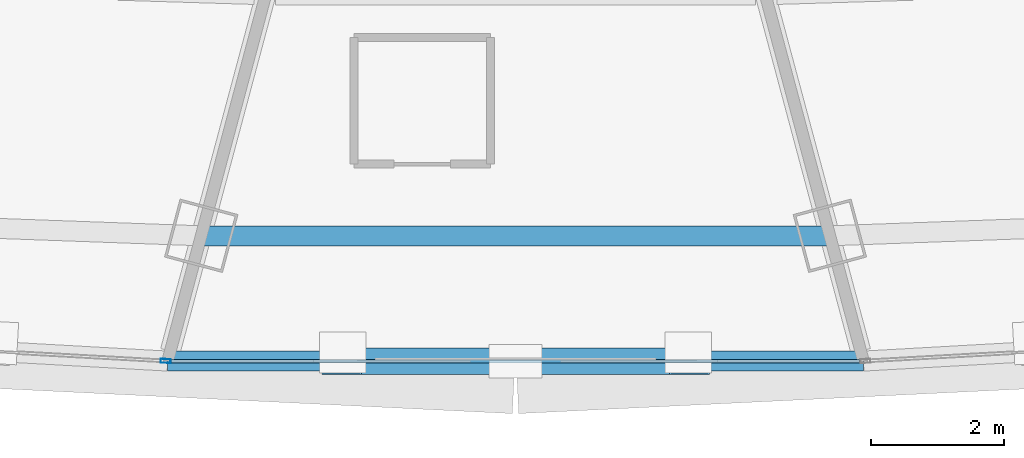
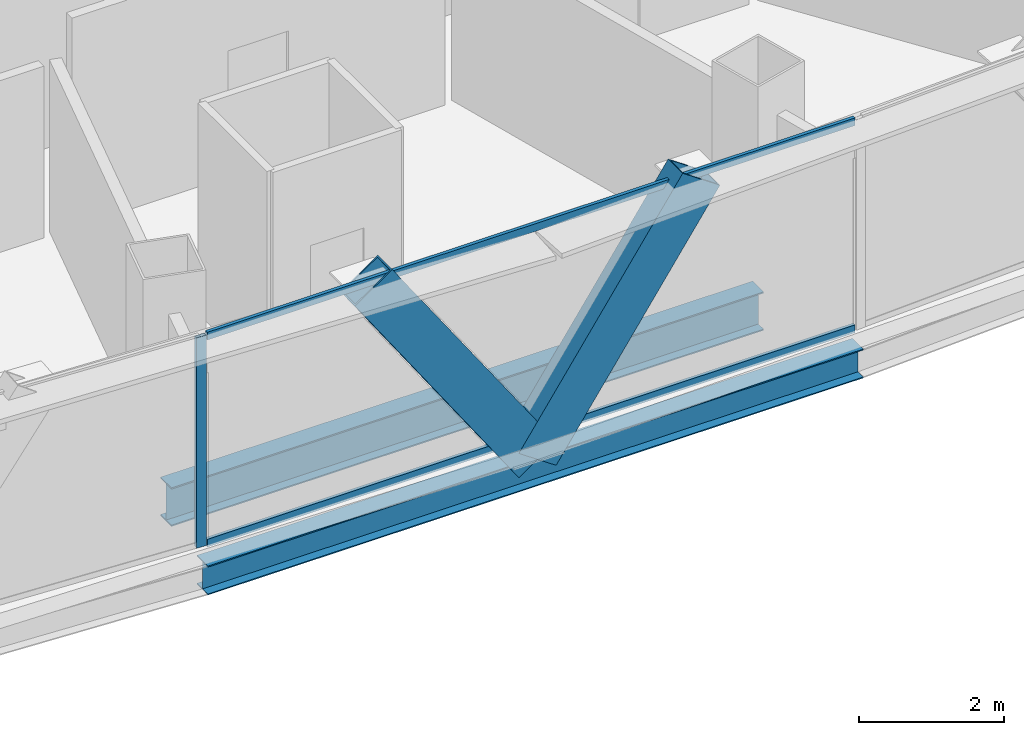
# One storey, part 10 of 37: 5 members, 2 beams, 2 elements without a shape of their own.
"""IFC4 building model written with IfcOpenShell, lengths in metres."""

from ifc_helpers import new_model, si_unit, direction, frame, origin, origin_2d, place, context, subcontext, project, spatial, hollow_rectangle, i_section, extrude, source, transform, mapped, material, layer, layer_set, material_profile, profile_set, type_object, element, aggregate, save


model = new_model("IFC4")

# Units and contexts
model_context = context("Model", 3, precision=1e-05, world=origin(), true_north=direction((0.0, 1.0)))
body_context = subcontext(model_context, "Body", "Model", "MODEL_VIEW")
ifc_project = project(units=[si_unit("LENGTHUNIT", "METRE"), si_unit("AREAUNIT", "SQUARE_METRE"), si_unit("VOLUMEUNIT", "CUBIC_METRE"), si_unit("PLANEANGLEUNIT", "RADIAN"), si_unit("MASSUNIT", "GRAM", prefix="KILO"), si_unit("THERMODYNAMICTEMPERATUREUNIT", "KELVIN"), si_unit("POWERUNIT", "WATT")], contexts=[model_context])

# Site, building, storey
site_placement = place(None, origin())
site = spatial("IfcSite", under=ifc_project, at=site_placement, CompositionType="ELEMENT")
building_placement = place(site_placement, origin())
building = spatial("IfcBuilding", under=site, at=building_placement, Name="Yunzhuo Pagoda Commons", CompositionType="ELEMENT")
storey_placement = place(building_placement, frame((0.0, 0.0, 199.9599609375)))
storey = spatial("IfcBuildingStorey", under=building, at=storey_placement, Name="L50", CompositionType="ELEMENT", Elevation=199.9599609375)

# Beams
ifc_material_1 = material(Name="Structural steel Q355B", Category="steel")
ifc_material_profile_1 = material_profile(ifc_material_1, i_section(OverallWidth=0.300048828125, OverallDepth=0.64990234375, WebThickness=0.012939453125, FlangeThickness=0.02197265625, at=origin_2d()), Name="Structural steel Q355B")
ifc_profile_set_1 = profile_set([ifc_material_profile_1], Name="Structural steel Q355B")
beam_type_1 = type_object("IfcBeamType", Name="B-RG2 Beam HN 650x300x13x22", PredefinedType="BEAM", material=ifc_profile_set_1)
shared_shape_1 = source(origin(), body_context, "Body", "SweptSolid", [
    extrude(i_section(OverallWidth=0.300048828125, OverallDepth=0.64990234375, WebThickness=0.012939453125, FlangeThickness=0.02197265625, at=origin_2d()), origin(), (0.0, 0.0, 1.0), 9.42529296875),
])
beam_1_placement = place(storey_placement, frame((43.28759765625, 16.1123046875, -0.5849609375), z_axis=(1.0, 0.0, 0.0), x_axis=(0.0, 1.0, 0.0)))
element("IfcBeam", 1, at=beam_1_placement, inside=storey, type_object=beam_type_1, Name="L50 column-ring beam 2", PredefinedType="BEAM", context=body_context, shape_type="MappedRepresentation", body=[
    mapped(shared_shape_1, transform((0.0, 0.0, 0.0), scale=1.0)),
])
ifc_material_profile_2 = material_profile(ifc_material_1, i_section(OverallWidth=0.300048828125, OverallDepth=0.488037109375, WebThickness=0.010986328125, FlangeThickness=0.01806640625, at=origin_2d()), Name="Structural steel Q355B")
ifc_profile_set_2 = profile_set([ifc_material_profile_2], Name="Structural steel Q355B")
beam_type_2 = type_object("IfcBeamType", Name="B-SP1 Beam HM 488x300x11x18", PredefinedType="BEAM", material=ifc_profile_set_2)
shared_shape_2 = source(origin(), body_context, "Body", "SweptSolid", [
    extrude(i_section(OverallWidth=0.300048828125, OverallDepth=0.488037109375, WebThickness=0.010986328125, FlangeThickness=0.01806640625, at=origin_2d()), origin(), (0.0, 0.0, 1.0), 10.43212890625),
])
beam_2_placement = place(storey_placement, frame((42.7841796875, 14.233642578125, -0.50390625), z_axis=(1.0, 0.0, 0.0), x_axis=(0.0, 1.0, 0.0)))
element("IfcBeam", 2, at=beam_2_placement, inside=storey, type_object=beam_type_2, Name="L50 facade edge spandrel beam F1.2", PredefinedType="BEAM", context=body_context, shape_type="MappedRepresentation", body=[
    mapped(shared_shape_2, transform((0.0, 0.0, 0.0), scale=1.0)),
])

# Members
ifc_material_profile_3 = material_profile(ifc_material_1, hollow_rectangle(XDim=0.39990234375, YDim=0.719970703125, WallThickness=0.02392578125, at=origin_2d()), Name="Structural steel Q355B")
ifc_profile_set_3 = profile_set([ifc_material_profile_3], Name="Structural steel Q355B")
member_type_1 = type_object("IfcMemberType", Name="M-DL2 Brace BOX 720x400x24", PredefinedType="BRACE", material=ifc_profile_set_3)
shared_shape_3 = source(origin(), body_context, "Body", "SweptSolid", [
    extrude(hollow_rectangle(XDim=0.39990234375, YDim=0.719970703125, WallThickness=0.02392578125, at=origin_2d()), origin(), (0.0, 0.0, 1.0), 4.60888671875),
])
for number, where, z_axis, x_axis, name in (
    (3, (48.0, 14.233642578125, -0.260009765625), (-0.565847439668, 0.0, 0.824509960535), (0.0, -1.0, 0.0), "L50 facade diamond brace F1.2L"),
    (4, (48.0, 14.233642578125, -0.260009765625), (0.565847439668, 0.0, 0.824509960535), (0.0, 1.0, 0.0), "L50 facade diamond brace F1.2R"),
):
    element("IfcMember", number, at=place(storey_placement, frame(where, z_axis=z_axis, x_axis=x_axis)), inside=storey, type_object=member_type_1, Name=name, PredefinedType="BRACE", context=body_context, shape_type="MappedRepresentation", body=[
        mapped(shared_shape_3, transform((0.0, 0.0, 0.0), scale=1.0)),
    ])

# Curtain wall, member
ifc_material_2 = material(Name="Anodized aluminium 6063-T6", Category="aluminium")
ifc_layer = layer(ifc_material_2, 0.14990234375)
ifc_layer_set = layer_set([ifc_layer], Name="Anodized aluminium 6063-T6")
curtain_wall_type = type_object("IfcCurtainWallType", Name="CW-MID Mid-Zone Ribbon Curtain Wall", PredefinedType="NOTDEFINED", material=ifc_layer_set)
curtain_wall_1_placement = place(storey_placement, origin())
curtain_wall_1 = element("IfcCurtainWall", 5, at=curtain_wall_1_placement, inside=storey, type_object=curtain_wall_type, Name="L50 curtain wall CW-L50-F1B2", PredefinedType="NOTDEFINED")
ifc_material_profile_4 = material_profile(ifc_material_2, hollow_rectangle(XDim=0.06005859375, YDim=0.14990234375, WallThickness=0.00390625, at=origin_2d()), Name="Anodized aluminium 6063-T6")
ifc_profile_set_4 = profile_set([ifc_material_profile_4], Name="Anodized aluminium 6063-T6")
member_type_2 = type_object("IfcMemberType", Name="CW-MID-M Mullion RHS 150x60x4", PredefinedType="MULLION", material=ifc_profile_set_4)
shared_shape_4 = source(origin(), body_context, "Body", "SweptSolid", [
    extrude(hollow_rectangle(XDim=0.06005859375, YDim=0.14990234375, WallThickness=0.00390625, at=origin_2d()), origin(), (0.0, 0.0, 1.0), 3.5400390625),
])
member_1_placement = place(storey_placement, frame((42.754150390625, 14.2353515625, 0.0), z_axis=(0.0, 0.0, 1.0), x_axis=(0.055982959182, 0.998431724396, 0.0)))
member_1 = element("IfcMember", 6, at=member_1_placement, type_object=member_type_2, Name="CW mullion 2", PredefinedType="MULLION", context=body_context, shape_type="MappedRepresentation", body=[
    mapped(shared_shape_4, transform((0.0, 0.0, 0.0), scale=1.0)),
])
aggregate(curtain_wall_1, [member_1])

# Curtain wall, members
curtain_wall_2_placement = place(storey_placement, origin())
curtain_wall_2 = element("IfcCurtainWall", 7, at=curtain_wall_2_placement, inside=storey, type_object=curtain_wall_type, Name="L50 curtain wall CW-L50-F1B3", PredefinedType="NOTDEFINED")
ifc_material_profile_5 = material_profile(ifc_material_2, hollow_rectangle(XDim=0.054931640625, YDim=0.1298828125, WallThickness=0.00341796875, at=origin_2d()), Name="Anodized aluminium 6063-T6")
ifc_profile_set_5 = profile_set([ifc_material_profile_5], Name="Anodized aluminium 6063-T6")
member_type_3 = type_object("IfcMemberType", Name="CW-MID-T Transom RHS 130x55x3.5", PredefinedType="USERDEFINED", material=ifc_profile_set_5)
shared_shape_5 = source(origin(), body_context, "Body", "SweptSolid", [
    extrude(hollow_rectangle(XDim=0.054931640625, YDim=0.1298828125, WallThickness=0.00341796875, at=origin_2d()), origin(), (0.0, 0.0, 1.0), 10.31201171875),
])
member_2_placement = place(storey_placement, frame((42.843994140625, 14.233642578125, 0.027587890625), z_axis=(1.0, 0.0, 0.0), x_axis=(0.0, 1.0, 0.0)))
member_2 = element("IfcMember", 8, at=member_2_placement, type_object=member_type_3, Name="CW transom 1.1", ObjectType="TRANSOM", PredefinedType="USERDEFINED", context=body_context, shape_type="MappedRepresentation", body=[
    mapped(shared_shape_5, transform((0.0, 0.0, 0.0), scale=1.0)),
])
member_3_placement = place(storey_placement, frame((42.843994140625, 14.233642578125, 3.512451171875), z_axis=(1.0, 0.0, 0.0), x_axis=(0.0, 1.0, 0.0)))
member_3 = element("IfcMember", 9, at=member_3_placement, type_object=member_type_3, Name="CW transom 1.2", ObjectType="TRANSOM", PredefinedType="USERDEFINED", context=body_context, shape_type="MappedRepresentation", body=[
    mapped(shared_shape_5, transform((0.0, 0.0, 0.0), scale=1.0)),
])
aggregate(curtain_wall_2, [member_2, member_3])

save(model, "model.ifc")
